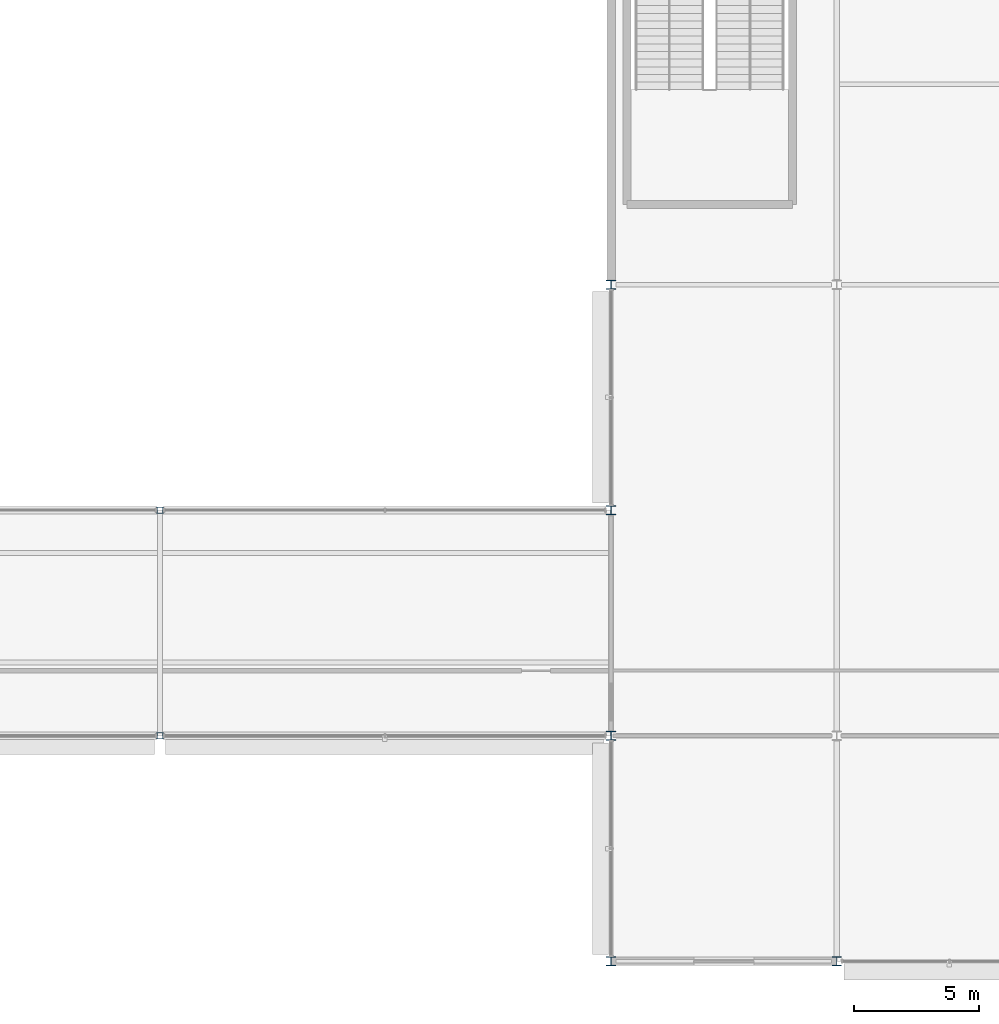
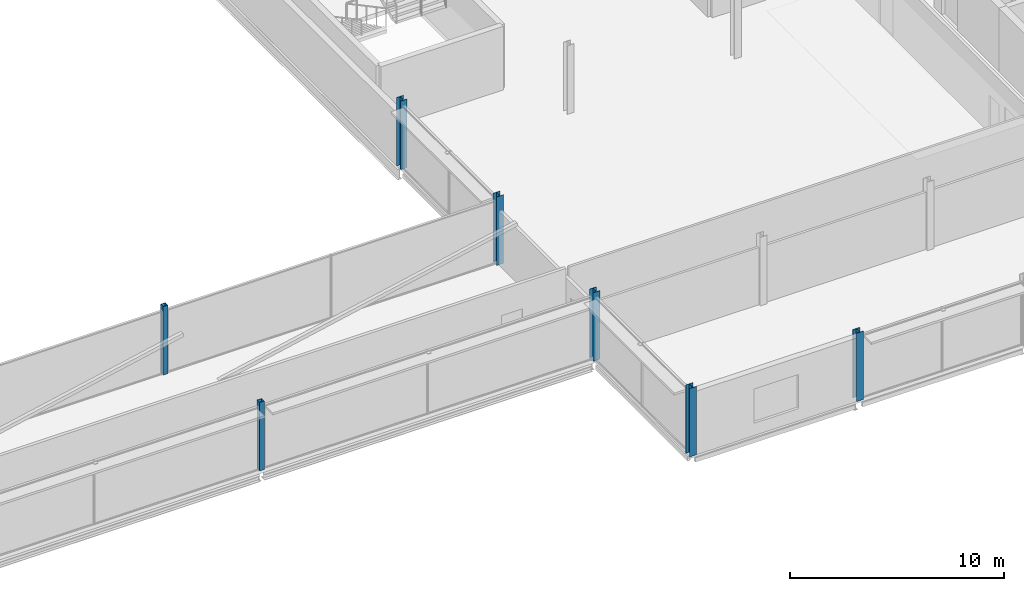
# One storey, part 9 of 98: 7 columns.
"""IFC4 building model written with IfcOpenShell, lengths in metres."""

from ifc_helpers import new_model, si_unit, direction, frame, origin, origin_2d, place, context, subcontext, project, spatial, hollow_rectangle, i_section, extrude, material, material_profile, profile_set, type_object, element, save


model = new_model("IFC4")

# Units and contexts
model_context = context("Model", 3, precision=1e-05, world=origin(), true_north=direction((0.0, 1.0)))
body_context = subcontext(model_context, "Body", "Model", "MODEL_VIEW")
ifc_project = project(units=[si_unit("LENGTHUNIT", "METRE"), si_unit("AREAUNIT", "SQUARE_METRE"), si_unit("VOLUMEUNIT", "CUBIC_METRE"), si_unit("PLANEANGLEUNIT", "RADIAN"), si_unit("MASSUNIT", "GRAM", prefix="KILO")], contexts=[model_context])

# Site, building, storey
site_placement = place(None, origin())
site = spatial("IfcSite", under=ifc_project, at=site_placement, CompositionType="ELEMENT")
building_placement = place(site_placement, origin())
building = spatial("IfcBuilding", under=site, at=building_placement, Name="Kisiwana Market Hall", CompositionType="ELEMENT")
storey_placement = place(building_placement, frame((0.0, 0.0, 29.39990234375)))
storey = spatial("IfcBuildingStorey", under=building, at=storey_placement, Name="L06", CompositionType="ELEMENT", Elevation=29.39990234375)

# Columns
ifc_material_1 = material(Name="Steel S355", Category="steel")
ifc_material_profile_1 = material_profile(ifc_material_1, hollow_rectangle(XDim=0.25, YDim=0.25, WallThickness=0.012451171875, at=origin_2d()), Name="SHS 250x250x12.5")
ifc_profile_set_1 = profile_set([ifc_material_profile_1], Name="Steel S355")
column_type_1 = type_object("IfcColumnType", Name="COL-STL-SHS250", PredefinedType="COLUMN", material=ifc_profile_set_1)
for number, where, z_axis, x_axis, name in (
    (1, (135.0, 18.0, 0.0), (0.0, 0.0, 1.0), (1.0, 0.0, 0.0), "Column C/16 (L06) C-1027"),
    (2, (135.0, 27.0, 0.0), (0.0, 0.0, 1.0), (1.0, 0.0, 0.0), "Column D/16 (L06) C-1028"),
):
    element("IfcColumn", number, at=place(storey_placement, frame(where, z_axis=z_axis, x_axis=x_axis)), inside=storey, type_object=column_type_1, Name=name, PredefinedType="COLUMN", context=body_context, shape_type="SweptSolid", body=[
        extrude(hollow_rectangle(XDim=0.25, YDim=0.25, WallThickness=0.012451171875, at=origin_2d()), origin(), (0.0, 0.0, 1.0), 3.900146484375),
    ])
ifc_material_2 = material(Name="Steel S355", Category="steel")
ifc_material_profile_2 = material_profile(ifc_material_2, i_section(OverallWidth=0.37060546875, OverallDepth=0.362060546875, WebThickness=0.01220703125, FlangeThickness=0.020751953125, at=origin_2d()), Name="UC 356x368x153")
ifc_profile_set_2 = profile_set([ifc_material_profile_2], Name="Steel S355")
column_type_2 = type_object("IfcColumnType", Name="COL-STL-UC153", PredefinedType="COLUMN", material=ifc_profile_set_2)
for number, where, z_axis, x_axis, name in (
    (3, (153.0, 9.0, 0.0), (0.0, 0.0, 1.0), (1.0, 0.0, 0.0), "Column B/18 (L06) C-1031"),
    (4, (153.0, 18.0, 0.0), (0.0, 0.0, 1.0), (1.0, 0.0, 0.0), "Column C/18 (L06) C-1032"),
    (5, (153.0, 27.0, 0.0), (0.0, 0.0, 1.0), (1.0, 0.0, 0.0), "Column D/18 (L06) C-1033"),
    (6, (153.0, 36.0, 0.0), (0.0, 0.0, 1.0), (1.0, 0.0, 0.0), "Column E/18 (L06) C-1034"),
    (7, (162.0, 9.0, 0.0), (0.0, 0.0, 1.0), (1.0, 0.0, 0.0), "Column B/19 (L06) C-1040"),
):
    element("IfcColumn", number, at=place(storey_placement, frame(where, z_axis=z_axis, x_axis=x_axis)), inside=storey, type_object=column_type_2, Name=name, PredefinedType="COLUMN", context=body_context, shape_type="SweptSolid", body=[
        extrude(i_section(OverallWidth=0.37060546875, OverallDepth=0.362060546875, WebThickness=0.01220703125, FlangeThickness=0.020751953125, at=origin_2d()), origin(), (0.0, 0.0, 1.0), 3.900146484375),
    ])

save(model, "model.ifc")
